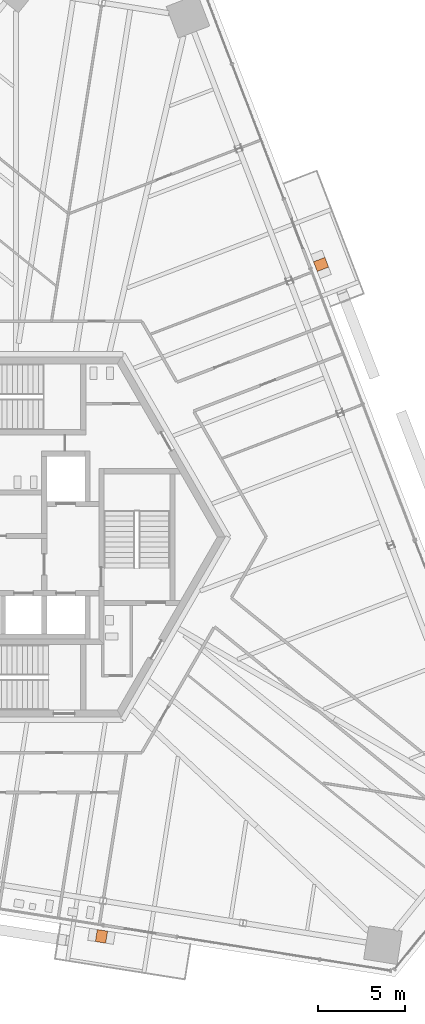
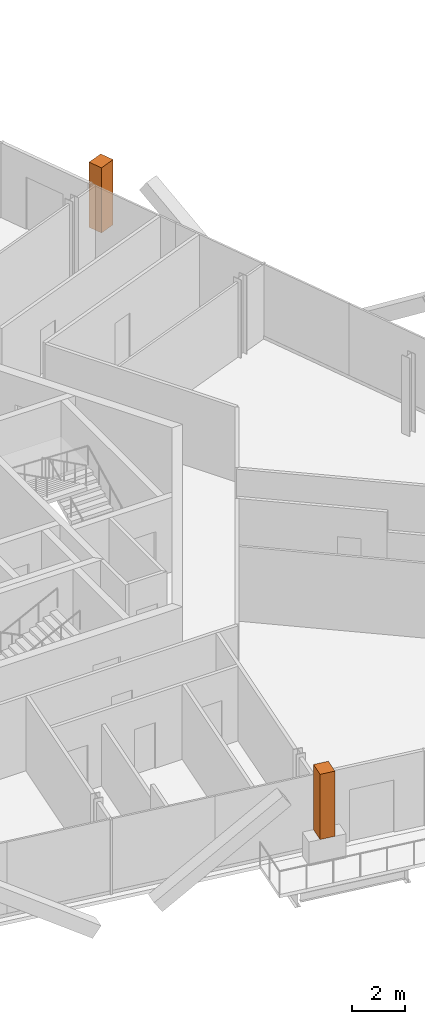
# One storey, part 18 of 18: 2 geographic elements.
"""IFC4 building model written with IfcOpenShell, lengths in metres."""

from ifc_helpers import new_model, si_unit, direction, frame, origin, origin_2d, place, context, subcontext, project, spatial, rectangle, extrude, source, transform, mapped, material, type_object, element, save


model = new_model("IFC4")

# Units and contexts
model_context = context("Model", 3, precision=1e-05, world=origin(), true_north=direction((0.0, 1.0)))
body_context = subcontext(model_context, "Body", "Model", "MODEL_VIEW")
ifc_project = project(units=[si_unit("LENGTHUNIT", "METRE"), si_unit("AREAUNIT", "SQUARE_METRE"), si_unit("VOLUMEUNIT", "CUBIC_METRE"), si_unit("PLANEANGLEUNIT", "RADIAN"), si_unit("MASSUNIT", "GRAM", prefix="KILO")], contexts=[model_context])

# Site, building, storey
site_placement = place(None, origin())
site = spatial("IfcSite", under=ifc_project, at=site_placement, CompositionType="ELEMENT")
building_placement = place(site_placement, origin())
building = spatial("IfcBuilding", under=site, at=building_placement, Name="Triune Harvest Tower", CompositionType="ELEMENT")
storey_placement = place(building_placement, frame((0.0, 0.0, 156.89990234375)))
storey = spatial("IfcBuildingStorey", under=building, at=storey_placement, Name="L40", CompositionType="ELEMENT", Elevation=156.89990234375)

# Geographic elements
ifc_material = material(Name="TREE-1 tree")
geographic_element_type = type_object("IfcGeographicElementType", Name="TREE-1 tree", PredefinedType="USERDEFINED", material=ifc_material)
shared_shape = source(origin(), body_context, "Body", "SweptSolid", [
    extrude(rectangle(XDim=0.60009765625, YDim=0.699951171875, at=origin_2d()), origin(), (0.0, 0.0, 1.0), 3.0),
])
for number, where, z_axis, x_axis, name in (
    (1, (17.528076171875, 15.72900390625, 1.10009765625), (0.0, 0.0, 1.0), (-0.35836927228, 0.933579918746, 0.0), "Tree B4-F1 L40.9a"),
    (2, (4.857666015625, -23.044189453125, 1.10009765625), (0.0, 0.0, 1.0), (0.987688259912, -0.156434974453, 0.0), "Tree B4-F5 L40.9a"),
):
    element("IfcGeographicElement", number, at=place(storey_placement, frame(where, z_axis=z_axis, x_axis=x_axis)), inside=storey, type_object=geographic_element_type, Name=name, ObjectType="TREE", PredefinedType="USERDEFINED", context=body_context, shape_type="MappedRepresentation", body=[
        mapped(shared_shape, transform((0.0, 0.0, 0.0), scale=1.0)),
    ])

save(model, "model.ifc")
